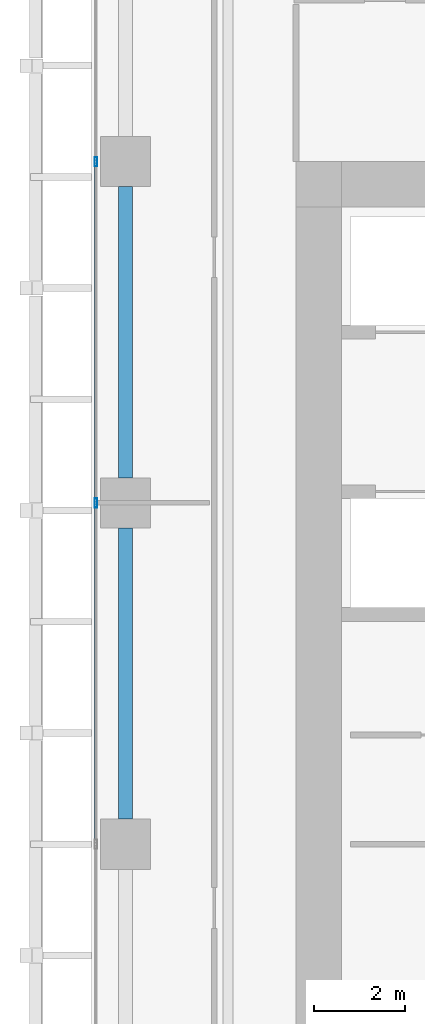
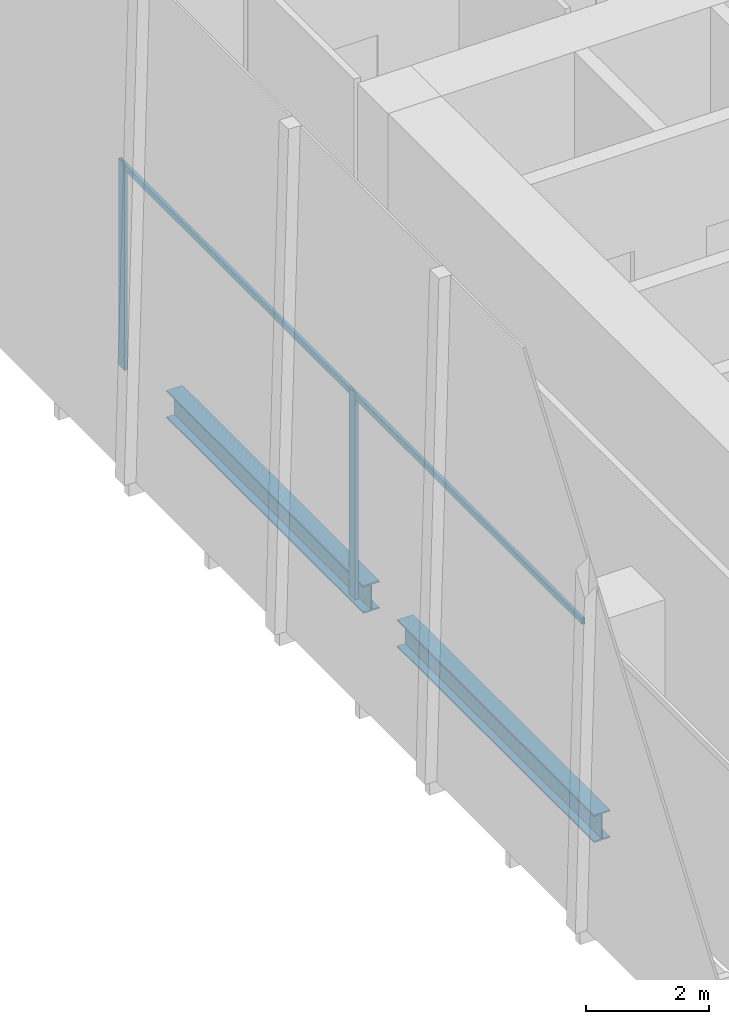
# One storey, part 14 of 34: 4 members, 2 beams, 1 element without a shape of its own.
"""IFC4 building model written with IfcOpenShell, lengths in metres."""

from ifc_helpers import new_model, si_unit, direction, frame, origin, origin_2d, place, context, subcontext, project, spatial, hollow_rectangle, i_section, extrude, source, transform, mapped, material, material_profile, profile_set, type_object, element, aggregate, save


model = new_model("IFC4")

# Units and contexts
model_context = context("Model", 3, precision=1e-05, world=origin(), true_north=direction((0.0, 1.0)))
body_context = subcontext(model_context, "Body", "Model", "MODEL_VIEW")
ifc_project = project(units=[si_unit("LENGTHUNIT", "METRE"), si_unit("AREAUNIT", "SQUARE_METRE"), si_unit("VOLUMEUNIT", "CUBIC_METRE"), si_unit("PLANEANGLEUNIT", "RADIAN"), si_unit("MASSUNIT", "GRAM", prefix="KILO")], contexts=[model_context])

# Site, building, storey
site_placement = place(None, origin())
site = spatial("IfcSite", under=ifc_project, at=site_placement, CompositionType="ELEMENT")
building_placement = place(site_placement, origin())
building = spatial("IfcBuilding", under=site, at=building_placement, Name="Khomas Fold Tower", CompositionType="ELEMENT")
storey_placement = place(building_placement, frame((0.0, 0.0, 154.300048828125)))
storey = spatial("IfcBuildingStorey", under=building, at=storey_placement, Name="L33", CompositionType="ELEMENT", Elevation=154.300048828125)

# Beams
ifc_material_1 = material(Name="Steel S355", Category="steel")
ifc_material_profile_1 = material_profile(ifc_material_1, i_section(OverallWidth=0.300048828125, OverallDepth=0.550048828125, WebThickness=0.014892578125, FlangeThickness=0.029052734375, at=origin_2d()), Name="HE 550 B")
ifc_profile_set_1 = profile_set([ifc_material_profile_1], Name="Steel S355")
beam_type = type_object("IfcBeamType", Name="HE 550 B spandrel SB2", PredefinedType="SPANDREL", material=ifc_profile_set_1)
shared_shape_1 = source(origin(), body_context, "Body", "SweptSolid", [
    extrude(i_section(OverallWidth=0.300048828125, OverallDepth=0.550048828125, WebThickness=0.014892578125, FlangeThickness=0.029052734375, at=origin_2d()), origin(), (0.0, 0.0, 1.0), 6.39990234375),
])
for number, where, z_axis, x_axis, name in (
    (1, (2.25, 35.050048828125, -0.574951171875), (0.0, 1.0, 0.0), (-1.0, 0.0, 0.0), "SB2"),
    (2, (2.25, 27.550048828125, -0.574951171875), (0.0, 1.0, 0.0), (-1.0, 0.0, 0.0), "SB2"),
):
    element("IfcBeam", number, at=place(storey_placement, frame(where, z_axis=z_axis, x_axis=x_axis)), inside=storey, type_object=beam_type, Name=name, PredefinedType="SPANDREL", context=body_context, shape_type="MappedRepresentation", body=[
        mapped(shared_shape_1, transform((0.0, 0.0, 0.0))),
    ])

# Curtain wall, members
ifc_material_2 = material(Name="Aluminium framed double glazing", Category="aluminium")
curtain_wall_type = type_object("IfcCurtainWallType", Name="SK-Unitised clear-glass wall, growing floors CW1", PredefinedType="NOTDEFINED", material=ifc_material_2)
curtain_wall_placement = place(storey_placement, origin())
curtain_wall = element("IfcCurtainWall", 3, at=curtain_wall_placement, inside=storey, type_object=curtain_wall_type, Name="CW1 run L33 09-0", PredefinedType="NOTDEFINED")
ifc_material_3 = material(Name="Aluminium", Category="aluminium")
ifc_material_profile_2 = material_profile(ifc_material_3, hollow_rectangle(XDim=0.06005859375, YDim=0.1201171875, WallThickness=0.00390625, at=origin_2d()), Name="SK-Unitised clear-glass wall, growing floors transom CW1-T")
ifc_profile_set_2 = profile_set([ifc_material_profile_2], Name="Aluminium")
member_type_1 = type_object("IfcMemberType", Name="SK-Unitised clear-glass wall, growing floors transom CW1-T", PredefinedType="USERDEFINED", material=ifc_profile_set_2)
shared_shape_2 = source(origin(), body_context, "Body", "SweptSolid", [
    extrude(hollow_rectangle(XDim=0.06005859375, YDim=0.1201171875, WallThickness=0.00390625, at=origin_2d()), origin(), (0.0, 0.0, 1.0), 7.43994140625),
])
member_1_placement = place(storey_placement, frame((1.60009765625, 41.969970703125, 4.0400390625), z_axis=(0.0, -1.0, 0.0), x_axis=(1.0, 0.0, 0.0)))
member_1 = element("IfcMember", 4, at=member_1_placement, type_object=member_type_1, Name="CW1 transom 3", ObjectType="TRANSOM", PredefinedType="USERDEFINED", context=body_context, shape_type="MappedRepresentation", body=[
    mapped(shared_shape_2, transform((0.0, 0.0, 0.0))),
])
member_2_placement = place(storey_placement, frame((1.60009765625, 34.469970703125, 4.0400390625), z_axis=(0.0, -1.0, 0.0), x_axis=(1.0, 0.0, 0.0)))
member_2 = element("IfcMember", 5, at=member_2_placement, type_object=member_type_1, Name="CW1 transom 4", ObjectType="TRANSOM", PredefinedType="USERDEFINED", context=body_context, shape_type="MappedRepresentation", body=[
    mapped(shared_shape_2, transform((0.0, 0.0, 0.0))),
])
ifc_material_4 = material(Name="Aluminium", Category="aluminium")
ifc_material_profile_3 = material_profile(ifc_material_4, hollow_rectangle(XDim=0.06005859375, YDim=0.199951171875, WallThickness=0.00390625, at=origin_2d()), Name="SK-Unitised clear-glass wall, growing floors mullion CW1-M")
ifc_profile_set_3 = profile_set([ifc_material_profile_3], Name="Aluminium")
member_type_2 = type_object("IfcMemberType", Name="SK-Unitised clear-glass wall, growing floors mullion CW1-M", PredefinedType="MULLION", material=ifc_profile_set_3)
shared_shape_3 = source(origin(), body_context, "Body", "SweptSolid", [
    extrude(hollow_rectangle(XDim=0.06005859375, YDim=0.199951171875, WallThickness=0.00390625, at=origin_2d()), origin(), (0.0, 0.0, 1.0), 4.099853515625),
])
member_3_placement = place(storey_placement, frame((1.60009765625, 42.0, 0.0), z_axis=(0.0, 0.0, 1.0), x_axis=(1.0, 0.0, 0.0)))
member_3 = element("IfcMember", 6, at=member_3_placement, type_object=member_type_2, Name="CW1 mullion 3", PredefinedType="MULLION", context=body_context, shape_type="MappedRepresentation", body=[
    mapped(shared_shape_3, transform((0.0, 0.0, 0.0))),
])
member_4_placement = place(storey_placement, frame((1.60009765625, 34.5, 0.0), z_axis=(0.0, 0.0, 1.0), x_axis=(1.0, 0.0, 0.0)))
member_4 = element("IfcMember", 7, at=member_4_placement, type_object=member_type_2, Name="CW1 mullion 4", PredefinedType="MULLION", context=body_context, shape_type="MappedRepresentation", body=[
    mapped(shared_shape_3, transform((0.0, 0.0, 0.0))),
])
aggregate(curtain_wall, [member_3, member_4, member_1, member_2])

save(model, "model.ifc")
